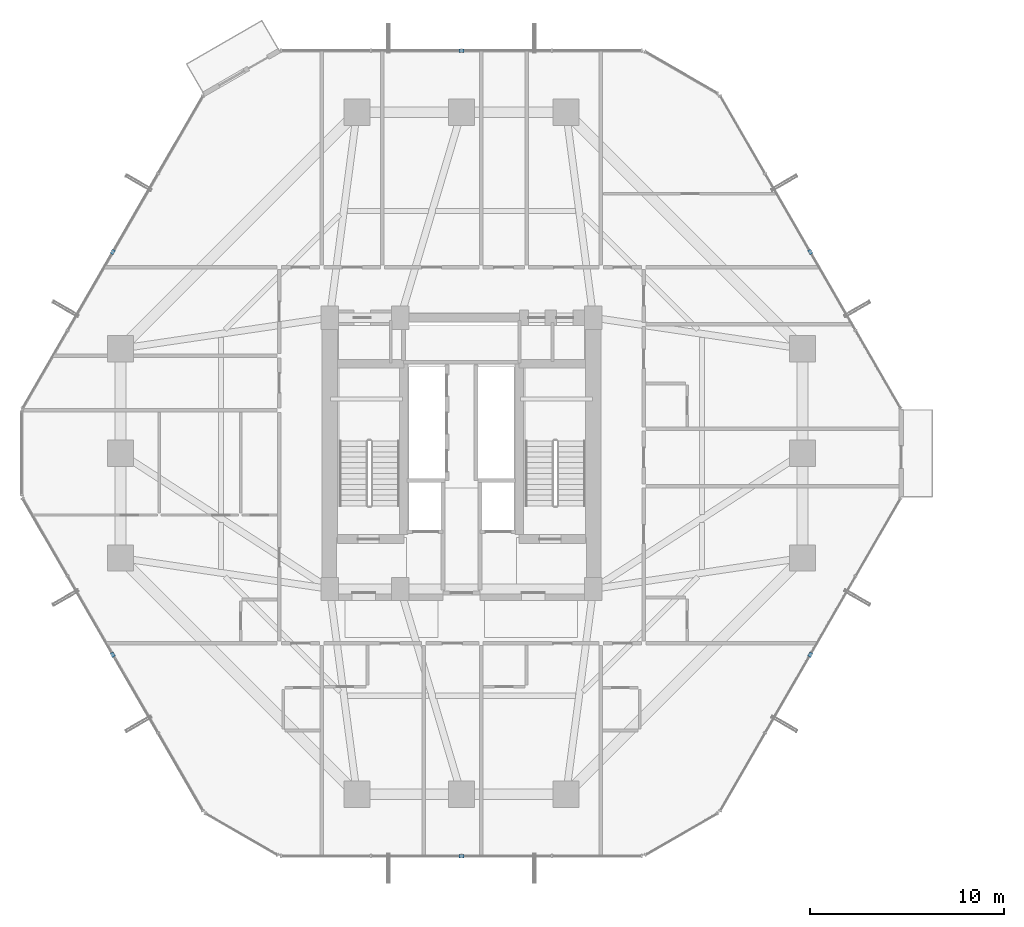
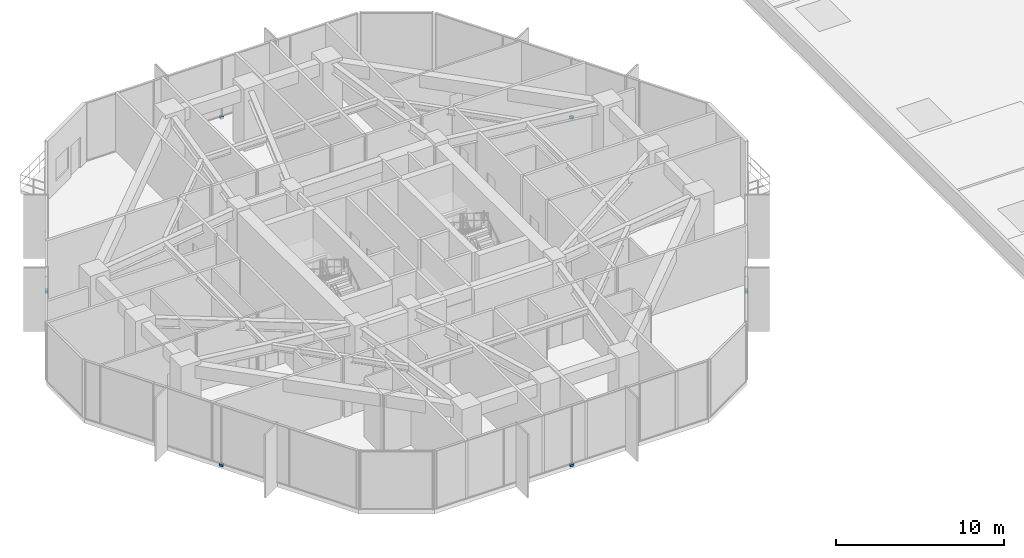
# One storey, part 37 of 39: 6 discrete accessories.
"""IFC4 building model written with IfcOpenShell, lengths in metres."""

from ifc_helpers import new_model, si_unit, direction, frame, origin, origin_2d, place, context, subcontext, project, spatial, rectangle, extrude, source, transform, mapped, material, type_object, element, save


model = new_model("IFC4")

# Units and contexts
model_context = context("Model", 3, precision=1e-05, world=origin(), true_north=direction((0.0, 1.0)))
body_context = subcontext(model_context, "Body", "Model", "MODEL_VIEW")
ifc_project = project(units=[si_unit("LENGTHUNIT", "METRE"), si_unit("AREAUNIT", "SQUARE_METRE"), si_unit("VOLUMEUNIT", "CUBIC_METRE"), si_unit("PLANEANGLEUNIT", "RADIAN"), si_unit("MASSUNIT", "GRAM", prefix="KILO")], contexts=[model_context])

# Site, building, storey
site_placement = place(None, origin())
site = spatial("IfcSite", under=ifc_project, at=site_placement, CompositionType="ELEMENT")
building_placement = place(site_placement, origin())
building = spatial("IfcBuilding", under=site, at=building_placement, Name="Veraguas Prism Commons", CompositionType="ELEMENT")
storey_placement = place(building_placement, frame((0.0, 0.0, 22.800048828125)))
storey = spatial("IfcBuildingStorey", under=building, at=storey_placement, Name="L05", CompositionType="ELEMENT", Elevation=22.800048828125)

# Discrete accessories
ifc_material = material(Name="Stainless steel AISI 316", Category="steel")
discrete_accessory_type = type_object("IfcDiscreteAccessoryType", Name="Facade Fin Support Bracket", PredefinedType="BRACKET", material=ifc_material)
shared_shape = source(origin(), body_context, "Body", "SweptSolid", [
    extrude(rectangle(XDim=0.239990234375, YDim=0.179931640625, at=origin_2d()), origin(), (0.0, 0.0, 1.0), 0.179931640625),
])
for number, where, z_axis, x_axis, name in (
    (1, (42.0, 34.392333984375, -0.169921875), (0.0, 0.0, 1.0), (-0.500003022996, 0.86602365845, 0.0), "Solar Fin Support Bracket L05-F1"),
    (2, (24.0, 44.78466796875, -0.169921875), (0.0, 0.0, 1.0), (-1.0, 0.0, 0.0), "Solar Fin Support Bracket L05-F2"),
    (3, (6.0, 34.392333984375, -0.169921875), (0.0, 0.0, 1.0), (-0.500003022996, -0.86602365845, 0.0), "Solar Fin Support Bracket L05-F3"),
    (4, (6.0, 13.607666015625, -0.169921875), (0.0, 0.0, 1.0), (0.500003022996, -0.86602365845, 0.0), "Solar Fin Support Bracket L05-F4"),
    (5, (24.0, 3.21533203125, -0.169921875), (0.0, 0.0, 1.0), (1.0, 0.0, 0.0), "Solar Fin Support Bracket L05-F5"),
    (6, (42.0, 13.607666015625, -0.169921875), (0.0, 0.0, 1.0), (0.500003022996, 0.86602365845, 0.0), "Solar Fin Support Bracket L05-F6"),
):
    element("IfcDiscreteAccessory", number, at=place(storey_placement, frame(where, z_axis=z_axis, x_axis=x_axis)), inside=storey, type_object=discrete_accessory_type, Name=name, PredefinedType="BRACKET", context=body_context, shape_type="MappedRepresentation", body=[
        mapped(shared_shape, transform((0.0, 0.0, 0.0), scale=1.0)),
    ])

save(model, "model.ifc")
